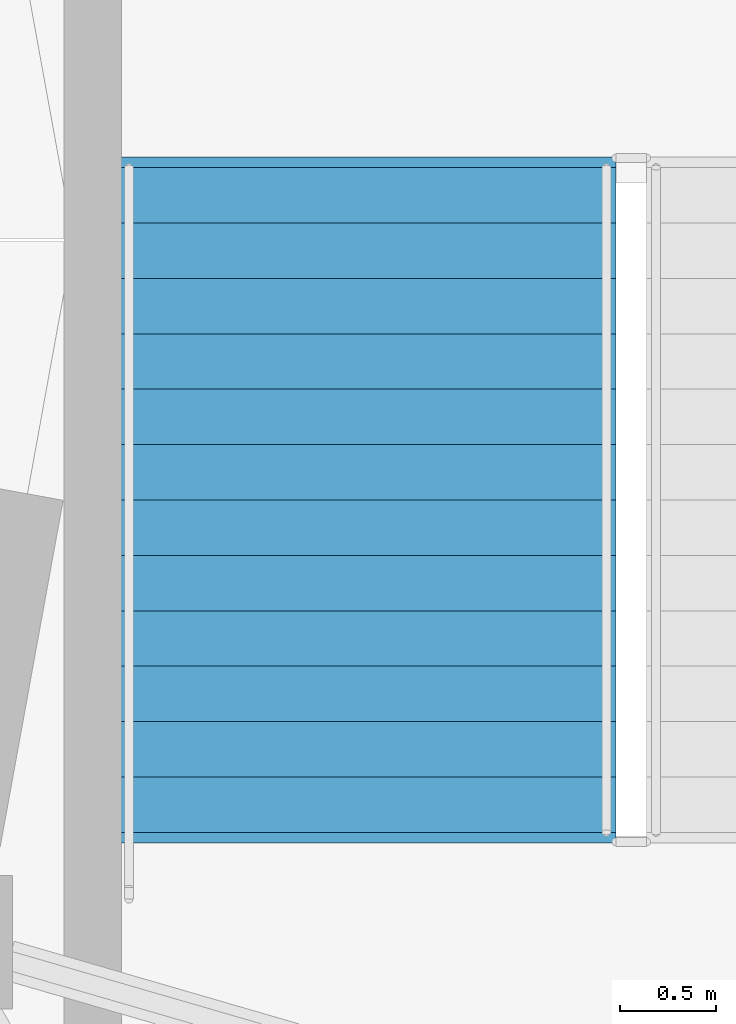
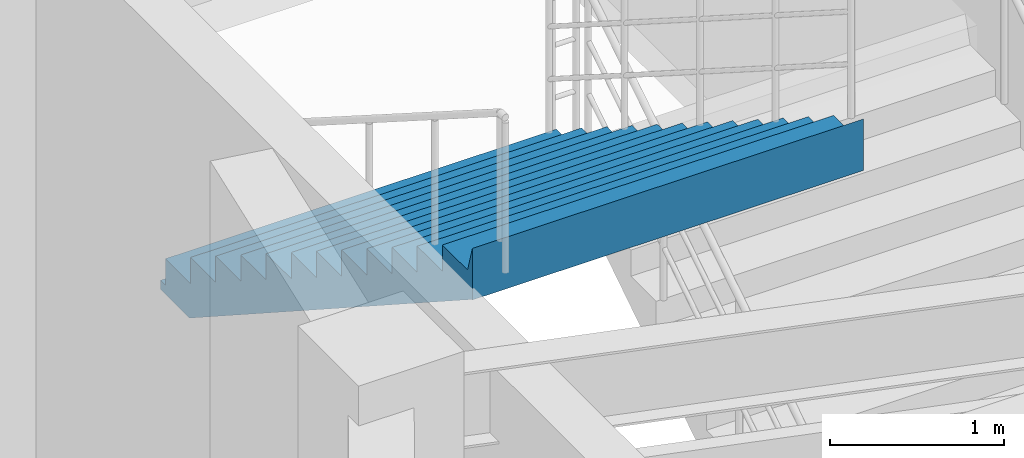
# One storey, part 122 of 144: 1 stair flight, 1 element without a shape of its own.
"""IFC4 building model written with IfcOpenShell, lengths in metres."""

from ifc_helpers import new_model, si_unit, direction, frame, origin, place, context, subcontext, project, spatial, polyline, outline, extrude, material, type_object, element, aggregate, save


model = new_model("IFC4")

# Units and contexts
model_context = context("Model", 3, precision=1e-05, world=origin(), true_north=direction((0.0, 1.0)))
body_context = subcontext(model_context, "Body", "Model", "MODEL_VIEW")
ifc_project = project(units=[si_unit("LENGTHUNIT", "METRE"), si_unit("AREAUNIT", "SQUARE_METRE"), si_unit("VOLUMEUNIT", "CUBIC_METRE"), si_unit("PLANEANGLEUNIT", "RADIAN"), si_unit("MASSUNIT", "GRAM", prefix="KILO")], contexts=[model_context])

# Site, building, storey
site_placement = place(None, origin())
site = spatial("IfcSite", under=ifc_project, at=site_placement, CompositionType="ELEMENT")
building_placement = place(site_placement, origin())
building = spatial("IfcBuilding", under=site, at=building_placement, Name="Cinderbank Siding Concert Hall", CompositionType="ELEMENT")
storey_placement = place(building_placement, frame((0.0, 0.0, 5.39990234375)))
storey = spatial("IfcBuildingStorey", under=building, at=storey_placement, Name="L02", CompositionType="ELEMENT", Elevation=5.39990234375)

# Stair, stair flight
ifc_material = material(Name="Reinforced concrete AS 3600 N50 (50 MPa)", Category="concrete")
stair_type = type_object("IfcStairType", Name="STR-B Dogleg Exit Stair 2600mm", PredefinedType="HALF_TURN_STAIR", material=ifc_material)
stair_placement = place(storey_placement, origin())
stair = element("IfcStair", 1, at=stair_placement, inside=storey, type_object=stair_type, Name="L02 Fire-isolated Exit Stair ST-03", PredefinedType="HALF_TURN_STAIR")
stair_flight_type = type_object("IfcStairFlightType", Name="SFL-B Concrete Stair Flight 2600mm", PredefinedType="STRAIGHT", material=ifc_material)
stair_flight_placement = place(storey_placement, frame((143.139892578125, 44.3798828125, 2.400146484375), z_axis=(0.0, 0.0, 1.0), x_axis=(0.0, -1.0, 0.0)))
stair_flight = element("IfcStairFlight", 2, at=stair_flight_placement, type_object=stair_flight_type, Name="ST-03 flight 2", NumberOfRisers=13, NumberOfTreads=12, PredefinedType="STRAIGHT", RiserHeight=0.184615385, TreadLength=0.29, context=body_context, shape_type="SweptSolid", body=[
    extrude(outline(polyline([(0.0, 0.0), (0.0, 0.1845703125), (0.2900390625, 0.1845703125), (0.2900390625, 0.369140625), (0.580078125, 0.369140625), (0.580078125, 0.553955078125), (0.8701171875, 0.553955078125), (0.8701171875, 0.738525390625), (1.159912109375, 0.738525390625), (1.159912109375, 0.923095703125), (1.449951171875, 0.923095703125), (1.449951171875, 1.107666015625), (1.739990234375, 1.107666015625), (1.739990234375, 1.292236328125), (2.030029296875, 1.292236328125), (2.030029296875, 1.476806640625), (2.320068359375, 1.476806640625), (2.320068359375, 1.66162109375), (2.610107421875, 1.66162109375), (2.610107421875, 1.84619140625), (2.89990234375, 1.84619140625), (2.89990234375, 2.03076171875), (3.18994140625, 2.03076171875), (3.18994140625, 2.21533203125), (3.47998046875, 2.21533203125), (3.534912109375, 2.39990234375), (3.534912109375, 2.03759765625), (3.53466796875, 2.037841796875), (3.53466796875, 2.0380859375), (3.53466796875, 2.038330078125), (3.53466796875, 2.03857421875), (3.53466796875, 2.038818359375), (3.53466796875, 2.0390625), (3.53466796875, 2.039306640625), (3.53466796875, 2.03955078125), (3.53466796875, 2.039794921875), (3.53466796875, 2.0400390625), (3.53466796875, 2.040283203125), (3.53466796875, 2.04052734375), (3.534423828125, 2.04052734375), (3.534423828125, 2.040283203125), (3.534423828125, 2.0400390625), (3.534423828125, 2.039794921875), (3.534423828125, 2.03955078125), (3.534423828125, 2.039306640625), (3.534423828125, 2.0390625), (3.534423828125, 2.038818359375), (3.534423828125, 2.03857421875), (3.534423828125, 2.038330078125), (3.534423828125, 2.0380859375), (3.534423828125, 2.037841796875), (3.534423828125, 2.03759765625), (3.5341796875, 2.037841796875), (3.5341796875, 2.0380859375), (3.5341796875, 2.038330078125), (3.5341796875, 2.03857421875), (3.5341796875, 2.038818359375), (3.5341796875, 2.0390625), (3.5341796875, 2.039306640625), (3.5341796875, 2.03955078125), (3.5341796875, 2.039794921875), (3.5341796875, 2.0400390625), (3.5341796875, 2.040283203125), (3.5341796875, 2.04052734375), (3.533935546875, 2.04052734375), (3.533935546875, 2.040283203125), (3.533935546875, 2.0400390625), (3.533935546875, 2.039794921875), (3.533935546875, 2.03955078125), (3.533935546875, 2.039306640625), (3.533935546875, 2.0390625), (3.533935546875, 2.038818359375), (3.533935546875, 2.03857421875), (3.533935546875, 2.038330078125), (3.533935546875, 2.0380859375), (3.533935546875, 2.037841796875), (3.533935546875, 2.03759765625), (3.53369140625, 2.037841796875), (3.53369140625, 2.0380859375), (3.53369140625, 2.038330078125), (3.53369140625, 2.03857421875), (3.53369140625, 2.038818359375), (3.53369140625, 2.0390625), (3.53369140625, 2.039306640625), (3.53369140625, 2.03955078125), (3.53369140625, 2.039794921875), (3.53369140625, 2.0400390625), (3.53369140625, 2.040283203125), (3.53369140625, 2.04052734375), (3.533447265625, 2.04052734375), (3.533447265625, 2.040283203125), (3.533447265625, 2.0400390625), (3.533447265625, 2.039794921875), (3.533447265625, 2.03955078125), (3.533447265625, 2.039306640625), (3.533447265625, 2.0390625), (3.533447265625, 2.038818359375), (3.533447265625, 2.03857421875), (3.533447265625, 2.038330078125), (3.533447265625, 2.0380859375), (3.533447265625, 2.037841796875), (3.533447265625, 2.03759765625), (3.533203125, 2.037841796875), (3.533203125, 2.0380859375), (3.533203125, 2.038330078125), (3.533203125, 2.03857421875), (3.533203125, 2.038818359375), (3.533203125, 2.0390625), (3.533203125, 2.039306640625), (3.533203125, 2.03955078125), (3.533203125, 2.039794921875), (3.533203125, 2.0400390625), (3.533203125, 2.040283203125), (3.533203125, 2.04052734375), (3.532958984375, 2.04052734375), (3.532958984375, 2.040283203125), (3.532958984375, 2.0400390625), (3.532958984375, 2.039794921875), (3.532958984375, 2.03955078125), (3.532958984375, 2.039306640625), (3.532958984375, 2.0390625), (3.532958984375, 2.038818359375), (3.532958984375, 2.03857421875), (3.532958984375, 2.038330078125), (3.532958984375, 2.0380859375), (3.532958984375, 2.037841796875), (3.532958984375, 2.03759765625), (3.53271484375, 2.037841796875), (3.53271484375, 2.0380859375), (3.53271484375, 2.038330078125), (3.53271484375, 2.03857421875), (3.53271484375, 2.038818359375), (3.53271484375, 2.0390625), (3.53271484375, 2.039306640625), (3.53271484375, 2.03955078125), (3.53271484375, 2.039794921875), (3.53271484375, 2.0400390625), (3.53271484375, 2.040283203125), (3.53271484375, 2.04052734375), (3.532470703125, 2.04052734375), (3.532470703125, 2.040283203125), (3.532470703125, 2.0400390625), (3.532470703125, 2.039794921875), (3.532470703125, 2.03955078125), (3.532470703125, 2.039306640625), (3.532470703125, 2.0390625), (3.532470703125, 2.038818359375), (3.532470703125, 2.03857421875), (3.532470703125, 2.038330078125), (3.532470703125, 2.0380859375), (3.532470703125, 2.037841796875), (3.532470703125, 2.03759765625), (3.5322265625, 2.037841796875), (3.5322265625, 2.0380859375), (3.5322265625, 2.038330078125), (3.5322265625, 2.03857421875), (3.5322265625, 2.038818359375), (3.5322265625, 2.0390625), (3.5322265625, 2.039306640625), (3.5322265625, 2.03955078125), (3.5322265625, 2.039794921875), (3.5322265625, 2.0400390625), (3.5322265625, 2.040283203125), (3.5322265625, 2.04052734375), (3.531982421875, 2.04052734375), (3.531982421875, 2.040283203125), (3.531982421875, 2.0400390625), (3.531982421875, 2.039794921875), (3.531982421875, 2.03955078125), (3.531982421875, 2.039306640625), (3.531982421875, 2.0390625), (3.531982421875, 2.038818359375), (3.531982421875, 2.03857421875), (3.531982421875, 2.038330078125), (3.531982421875, 2.0380859375), (3.531982421875, 2.037841796875), (3.531982421875, 2.03759765625), (3.53173828125, 2.037841796875), (3.53173828125, 2.0380859375), (3.53173828125, 2.038330078125), (3.53173828125, 2.03857421875), (3.53173828125, 2.038818359375), (3.53173828125, 2.0390625), (3.53173828125, 2.039306640625), (3.53173828125, 2.03955078125), (3.53173828125, 2.039794921875), (3.53173828125, 2.0400390625), (3.53173828125, 2.040283203125), (3.53173828125, 2.04052734375), (3.531494140625, 2.04052734375), (3.531494140625, 2.040283203125), (3.531494140625, 2.0400390625), (3.531494140625, 2.039794921875), (3.531494140625, 2.03955078125), (3.531494140625, 2.039306640625), (3.531494140625, 2.0390625), (3.531494140625, 2.038818359375), (3.531494140625, 2.03857421875), (3.531494140625, 2.038330078125), (3.531494140625, 2.0380859375), (3.531494140625, 2.037841796875), (3.531494140625, 2.03759765625), (3.53125, 2.037841796875), (3.53125, 2.0380859375), (3.53125, 2.038330078125), (3.53125, 2.03857421875), (3.53125, 2.038818359375), (3.53125, 2.0390625), (3.53125, 2.039306640625), (3.53125, 2.03955078125), (3.53125, 2.039794921875), (3.53125, 2.0400390625), (3.53125, 2.040283203125), (3.53125, 2.04052734375), (3.531005859375, 2.04052734375), (3.531005859375, 2.040283203125), (3.531005859375, 2.0400390625), (3.531005859375, 2.039794921875), (3.531005859375, 2.03955078125), (3.531005859375, 2.039306640625), (3.531005859375, 2.0390625), (3.531005859375, 2.038818359375), (3.531005859375, 2.03857421875), (3.531005859375, 2.038330078125), (3.531005859375, 2.0380859375), (3.531005859375, 2.037841796875), (3.531005859375, 2.03759765625), (3.53076171875, 2.037841796875), (3.53076171875, 2.0380859375), (3.53076171875, 2.038330078125), (3.53076171875, 2.03857421875), (3.53076171875, 2.038818359375), (3.53076171875, 2.0390625), (3.53076171875, 2.039306640625), (3.53076171875, 2.03955078125), (3.53076171875, 2.039794921875), (3.53076171875, 2.0400390625), (3.53076171875, 2.040283203125), (3.53076171875, 2.04052734375), (3.530517578125, 2.04052734375), (3.530517578125, 2.040283203125), (3.530517578125, 2.0400390625), (3.530517578125, 2.039794921875), (3.530517578125, 2.03955078125), (3.530517578125, 2.039306640625), (3.530517578125, 2.0390625), (3.530517578125, 2.038818359375), (3.530517578125, 2.03857421875), (3.530517578125, 2.038330078125), (3.530517578125, 2.0380859375), (3.530517578125, 2.037841796875), (3.530517578125, 2.03759765625), (3.5302734375, 2.037841796875), (3.5302734375, 2.0380859375), (3.5302734375, 2.038330078125), (3.5302734375, 2.03857421875), (3.5302734375, 2.038818359375), (3.5302734375, 2.0390625), (3.5302734375, 2.039306640625), (3.5302734375, 2.03955078125), (3.5302734375, 2.039794921875), (3.5302734375, 2.0400390625), (3.5302734375, 2.040283203125), (3.5302734375, 2.04052734375), (3.530029296875, 2.04052734375), (3.530029296875, 2.040283203125), (3.530029296875, 2.0400390625), (3.530029296875, 2.039794921875), (3.530029296875, 2.03955078125), (3.530029296875, 2.039306640625), (3.530029296875, 2.0390625), (3.530029296875, 2.038818359375), (3.530029296875, 2.03857421875), (3.530029296875, 2.038330078125), (3.530029296875, 2.0380859375), (3.530029296875, 2.037841796875), (3.530029296875, 2.03759765625), (3.52978515625, 2.037841796875), (3.52978515625, 2.0380859375), (3.52978515625, 2.038330078125), (3.52978515625, 2.03857421875), (3.52978515625, 2.038818359375), (3.52978515625, 2.0390625), (3.52978515625, 2.039306640625), (3.52978515625, 2.03955078125), (3.52978515625, 2.039794921875), (3.52978515625, 2.0400390625), (3.52978515625, 2.040283203125), (3.52978515625, 2.04052734375), (3.529541015625, 2.04052734375), (3.529541015625, 2.040283203125), (3.529541015625, 2.0400390625), (3.529541015625, 2.039794921875), (3.529541015625, 2.03955078125), (3.529541015625, 2.039306640625), (3.529541015625, 2.0390625), (3.529541015625, 2.038818359375), (3.529541015625, 2.03857421875), (3.529541015625, 2.038330078125), (3.529541015625, 2.0380859375), (3.529541015625, 2.037841796875), (3.529541015625, 2.03759765625), (3.529296875, 2.037841796875), (3.529296875, 2.0380859375), (3.529296875, 2.038330078125), (3.529296875, 2.03857421875), (3.529296875, 2.038818359375), (3.529296875, 2.0390625), (3.529296875, 2.039306640625), (3.529296875, 2.03955078125), (3.529296875, 2.039794921875), (3.529296875, 2.0400390625), (3.529296875, 2.040283203125), (3.529296875, 2.04052734375), (3.529052734375, 2.04052734375), (3.529052734375, 2.040283203125), (3.529052734375, 2.0400390625), (3.529052734375, 2.039794921875), (3.529052734375, 2.03955078125), (3.529052734375, 2.039306640625), (3.529052734375, 2.0390625), (3.529052734375, 2.038818359375), (3.529052734375, 2.03857421875), (3.529052734375, 2.038330078125), (3.529052734375, 2.0380859375), (3.529052734375, 2.037841796875), (3.529052734375, 2.03759765625), (3.52880859375, 2.037841796875), (3.52880859375, 2.0380859375), (3.52880859375, 2.038330078125), (3.52880859375, 2.03857421875), (3.52880859375, 2.038818359375), (3.52880859375, 2.0390625), (3.52880859375, 2.039306640625), (3.52880859375, 2.03955078125), (3.52880859375, 2.039794921875), (3.52880859375, 2.0400390625), (3.52880859375, 2.040283203125), (3.52880859375, 2.04052734375), (3.528564453125, 2.04052734375), (3.528564453125, 2.040283203125), (3.528564453125, 2.0400390625), (3.528564453125, 2.039794921875), (3.528564453125, 2.03955078125), (3.528564453125, 2.039306640625), (3.528564453125, 2.0390625), (3.528564453125, 2.038818359375), (3.528564453125, 2.03857421875), (3.528564453125, 2.038330078125), (3.528564453125, 2.0380859375), (3.528564453125, 2.037841796875), (3.528564453125, 2.03759765625), (0.279052734375, -0.06396484375), (-0.048583984375, -0.063720703125), (-0.048583984375, -0.0634765625), (-0.048583984375, -0.063232421875), (-0.048583984375, -0.06298828125), (-0.048583984375, -0.062744140625), (-0.048583984375, -0.0625), (-0.048583984375, -0.062255859375), (-0.048583984375, -0.06201171875), (-0.048583984375, -0.061767578125), (-0.048583984375, -0.0615234375), (-0.048583984375, -0.061279296875), (-0.048583984375, -0.06103515625), (-0.048828125, -0.06103515625), (-0.048828125, -0.061279296875), (-0.048828125, -0.0615234375), (-0.048828125, -0.061767578125), (-0.048828125, -0.06201171875), (-0.048828125, -0.062255859375), (-0.048828125, -0.0625), (-0.048828125, -0.062744140625), (-0.048828125, -0.06298828125), (-0.048828125, -0.063232421875), (-0.048828125, -0.0634765625), (-0.048828125, -0.063720703125), (-0.048828125, -0.06396484375), (-0.049072265625, -0.063720703125), (-0.049072265625, -0.0634765625), (-0.049072265625, -0.063232421875), (-0.049072265625, -0.06298828125), (-0.049072265625, -0.062744140625), (-0.049072265625, -0.0625), (-0.049072265625, -0.062255859375), (-0.049072265625, -0.06201171875), (-0.049072265625, -0.061767578125), (-0.049072265625, -0.0615234375), (-0.049072265625, -0.061279296875), (-0.049072265625, -0.06103515625), (-0.04931640625, -0.06103515625), (-0.04931640625, -0.061279296875), (-0.04931640625, -0.0615234375), (-0.04931640625, -0.061767578125), (-0.04931640625, -0.06201171875), (-0.04931640625, -0.062255859375), (-0.04931640625, -0.0625), (-0.04931640625, -0.062744140625), (-0.04931640625, -0.06298828125), (-0.04931640625, -0.063232421875), (-0.04931640625, -0.0634765625), (-0.04931640625, -0.063720703125), (-0.04931640625, -0.06396484375), (-0.049560546875, -0.063720703125), (-0.049560546875, -0.0634765625), (-0.049560546875, -0.063232421875), (-0.049560546875, -0.06298828125), (-0.049560546875, -0.062744140625), (-0.049560546875, -0.0625), (-0.049560546875, -0.062255859375), (-0.049560546875, -0.06201171875), (-0.049560546875, -0.061767578125), (-0.049560546875, -0.0615234375), (-0.049560546875, -0.061279296875), (-0.049560546875, -0.06103515625), (-0.0498046875, -0.06103515625), (-0.0498046875, -0.061279296875), (-0.0498046875, -0.0615234375), (-0.0498046875, -0.061767578125), (-0.0498046875, -0.06201171875), (-0.0498046875, -0.062255859375), (-0.0498046875, -0.0625), (-0.0498046875, -0.062744140625), (-0.0498046875, -0.06298828125), (-0.0498046875, -0.063232421875), (-0.0498046875, -0.0634765625), (-0.0498046875, -0.063720703125), (-0.0498046875, -0.06396484375), (-0.050048828125, -0.063720703125), (-0.050048828125, -0.0634765625), (-0.050048828125, -0.063232421875), (-0.050048828125, -0.06298828125), (-0.050048828125, -0.062744140625), (-0.050048828125, -0.0625), (-0.050048828125, -0.062255859375), (-0.050048828125, -0.06201171875), (-0.050048828125, -0.061767578125), (-0.050048828125, -0.0615234375), (-0.050048828125, -0.061279296875), (-0.050048828125, -0.06103515625), (-0.05029296875, -0.06103515625), (-0.05029296875, -0.061279296875), (-0.05029296875, -0.0615234375), (-0.05029296875, -0.061767578125), (-0.05029296875, -0.06201171875), (-0.05029296875, -0.062255859375), (-0.05029296875, -0.0625), (-0.05029296875, -0.062744140625), (-0.05029296875, -0.06298828125), (-0.05029296875, -0.063232421875), (-0.05029296875, -0.0634765625), (-0.05029296875, -0.063720703125), (-0.05029296875, -0.06396484375), (-0.050537109375, -0.063720703125), (-0.050537109375, -0.0634765625), (-0.050537109375, -0.063232421875), (-0.050537109375, -0.06298828125), (-0.050537109375, -0.062744140625), (-0.050537109375, -0.0625), (-0.050537109375, -0.062255859375), (-0.050537109375, -0.06201171875), (-0.050537109375, -0.061767578125), (-0.050537109375, -0.0615234375), (-0.050537109375, -0.061279296875), (-0.050537109375, -0.06103515625), (-0.05078125, -0.06103515625), (-0.05078125, -0.061279296875), (-0.05078125, -0.0615234375), (-0.05078125, -0.061767578125), (-0.05078125, -0.06201171875), (-0.05078125, -0.062255859375), (-0.05078125, -0.0625), (-0.05078125, -0.062744140625), (-0.05078125, -0.06298828125), (-0.05078125, -0.063232421875), (-0.05078125, -0.0634765625), (-0.05078125, -0.063720703125), (-0.05078125, -0.06396484375), (-0.051025390625, -0.063720703125), (-0.051025390625, -0.0634765625), (-0.051025390625, -0.063232421875), (-0.051025390625, -0.06298828125), (-0.051025390625, -0.062744140625), (-0.051025390625, -0.0625), (-0.051025390625, -0.062255859375), (-0.051025390625, -0.06201171875), (-0.051025390625, -0.061767578125), (-0.051025390625, -0.0615234375), (-0.051025390625, -0.061279296875), (-0.051025390625, -0.06103515625), (-0.05126953125, -0.06103515625), (-0.05126953125, -0.061279296875), (-0.05126953125, -0.0615234375), (-0.05126953125, -0.061767578125), (-0.05126953125, -0.06201171875), (-0.05126953125, -0.062255859375), (-0.05126953125, -0.0625), (-0.05126953125, -0.062744140625), (-0.05126953125, -0.06298828125), (-0.05126953125, -0.063232421875), (-0.05126953125, -0.0634765625), (-0.05126953125, -0.063720703125), (-0.05126953125, -0.06396484375), (-0.051513671875, -0.063720703125), (-0.051513671875, -0.0634765625), (-0.051513671875, -0.063232421875), (-0.051513671875, -0.06298828125), (-0.051513671875, -0.062744140625), (-0.051513671875, -0.0625), (-0.051513671875, -0.062255859375), (-0.051513671875, -0.06201171875), (-0.051513671875, -0.061767578125), (-0.051513671875, -0.0615234375), (-0.051513671875, -0.061279296875), (-0.051513671875, -0.06103515625), (-0.0517578125, -0.06103515625), (-0.0517578125, -0.061279296875), (-0.0517578125, -0.0615234375), (-0.0517578125, -0.061767578125), (-0.0517578125, -0.06201171875), (-0.0517578125, -0.062255859375), (-0.0517578125, -0.0625), (-0.0517578125, -0.062744140625), (-0.0517578125, -0.06298828125), (-0.0517578125, -0.063232421875), (-0.0517578125, -0.0634765625), (-0.0517578125, -0.063720703125), (-0.0517578125, -0.06396484375), (-0.052001953125, -0.063720703125), (-0.052001953125, -0.0634765625), (-0.052001953125, -0.063232421875), (-0.052001953125, -0.06298828125), (-0.052001953125, -0.062744140625), (-0.052001953125, -0.0625), (-0.052001953125, -0.062255859375), (-0.052001953125, -0.06201171875), (-0.052001953125, -0.061767578125), (-0.052001953125, -0.0615234375), (-0.052001953125, -0.061279296875), (-0.052001953125, -0.06103515625), (-0.05224609375, -0.06103515625), (-0.05224609375, -0.061279296875), (-0.05224609375, -0.0615234375), (-0.05224609375, -0.061767578125), (-0.05224609375, -0.06201171875), (-0.05224609375, -0.062255859375), (-0.05224609375, -0.0625), (-0.05224609375, -0.062744140625), (-0.05224609375, -0.06298828125), (-0.05224609375, -0.063232421875), (-0.05224609375, -0.0634765625), (-0.05224609375, -0.063720703125), (-0.05224609375, -0.06396484375), (-0.052490234375, -0.063720703125), (-0.052490234375, -0.0634765625), (-0.052490234375, -0.063232421875), (-0.052490234375, -0.06298828125), (-0.052490234375, -0.062744140625), (-0.052490234375, -0.0625), (-0.052490234375, -0.062255859375), (-0.052490234375, -0.06201171875), (-0.052490234375, -0.061767578125), (-0.052490234375, -0.0615234375), (-0.052490234375, -0.061279296875), (-0.052490234375, -0.06103515625), (-0.052734375, -0.06103515625), (-0.052734375, -0.061279296875), (-0.052734375, -0.0615234375), (-0.052734375, -0.061767578125), (-0.052734375, -0.06201171875), (-0.052734375, -0.062255859375), (-0.052734375, -0.0625), (-0.052734375, -0.062744140625), (-0.052734375, -0.06298828125), (-0.052734375, -0.063232421875), (-0.052734375, -0.0634765625), (-0.052734375, -0.063720703125), (-0.052734375, -0.06396484375), (-0.052978515625, -0.063720703125), (-0.052978515625, -0.0634765625), (-0.052978515625, -0.063232421875), (-0.052978515625, -0.06298828125), (-0.052978515625, -0.062744140625), (-0.052978515625, -0.0625), (-0.052978515625, -0.062255859375), (-0.052978515625, -0.06201171875), (-0.052978515625, -0.061767578125), (-0.052978515625, -0.0615234375), (-0.052978515625, -0.061279296875), (-0.052978515625, -0.06103515625), (-0.05322265625, -0.06103515625), (-0.05322265625, -0.061279296875), (-0.05322265625, -0.0615234375), (-0.05322265625, -0.061767578125), (-0.05322265625, -0.06201171875), (-0.05322265625, -0.062255859375), (-0.05322265625, -0.0625), (-0.05322265625, -0.062744140625), (-0.05322265625, -0.06298828125), (-0.05322265625, -0.063232421875), (-0.05322265625, -0.0634765625), (-0.05322265625, -0.063720703125), (-0.05322265625, -0.06396484375), (-0.053466796875, -0.063720703125), (-0.053466796875, -0.0634765625), (-0.053466796875, -0.063232421875), (-0.053466796875, -0.06298828125), (-0.053466796875, -0.062744140625), (-0.053466796875, -0.0625), (-0.053466796875, -0.062255859375), (-0.053466796875, -0.06201171875), (-0.053466796875, -0.061767578125), (-0.053466796875, -0.0615234375), (-0.053466796875, -0.061279296875), (-0.053466796875, -0.06103515625), (-0.0537109375, -0.06103515625), (-0.0537109375, -0.061279296875), (-0.0537109375, -0.0615234375), (-0.0537109375, -0.061767578125), (-0.0537109375, -0.06201171875), (-0.0537109375, -0.062255859375), (-0.0537109375, -0.0625), (-0.0537109375, -0.062744140625), (-0.0537109375, -0.06298828125), (-0.0537109375, -0.063232421875), (-0.0537109375, -0.0634765625), (-0.0537109375, -0.063720703125), (-0.0537109375, -0.06396484375), (-0.053955078125, -0.063720703125), (-0.053955078125, -0.0634765625), (-0.053955078125, -0.063232421875), (-0.053955078125, -0.06298828125), (-0.053955078125, -0.062744140625), (-0.053955078125, -0.0625), (-0.053955078125, -0.062255859375), (-0.053955078125, -0.06201171875), (-0.053955078125, -0.061767578125), (-0.053955078125, -0.0615234375), (-0.053955078125, -0.061279296875), (-0.053955078125, -0.06103515625), (-0.05419921875, -0.06103515625), (-0.05419921875, -0.061279296875), (-0.05419921875, -0.0615234375), (-0.05419921875, -0.061767578125), (-0.05419921875, -0.06201171875), (-0.05419921875, -0.062255859375), (-0.05419921875, -0.0625), (-0.05419921875, -0.062744140625), (-0.05419921875, -0.06298828125), (-0.05419921875, -0.063232421875), (-0.05419921875, -0.0634765625), (-0.05419921875, -0.063720703125), (-0.05419921875, -0.06396484375), (-0.054443359375, -0.063720703125), (-0.054443359375, -0.0634765625), (-0.054443359375, -0.063232421875), (-0.054443359375, -0.06298828125), (-0.054443359375, -0.062744140625), (-0.054443359375, -0.0625), (-0.054443359375, -0.062255859375), (-0.054443359375, -0.06201171875), (-0.054443359375, -0.061767578125), (-0.054443359375, -0.0615234375), (-0.054443359375, -0.061279296875), (-0.054443359375, -0.06103515625), (-0.0546875, -0.06103515625), (-0.0546875, -0.061279296875), (-0.0546875, -0.0615234375), (-0.0546875, -0.061767578125), (-0.0546875, -0.06201171875), (-0.0546875, -0.062255859375), (-0.0546875, -0.0625), (-0.0546875, -0.062744140625), (-0.0546875, -0.06298828125), (-0.0546875, -0.063232421875), (-0.0546875, -0.0634765625), (-0.0546875, -0.063720703125), (-0.0546875, -0.06396484375), (-0.054931640625, -0.06396484375), (-0.054931640625, 0.0), (0.0, 0.0)])), frame((0.0, 1.300048828125, 0.0), z_axis=(0.0, -1.0, 0.0), x_axis=(1.0, 0.0, 0.0)), (0.0, 0.0, 1.0), 2.60009765625),
])
aggregate(stair, [stair_flight])

save(model, "model.ifc")
